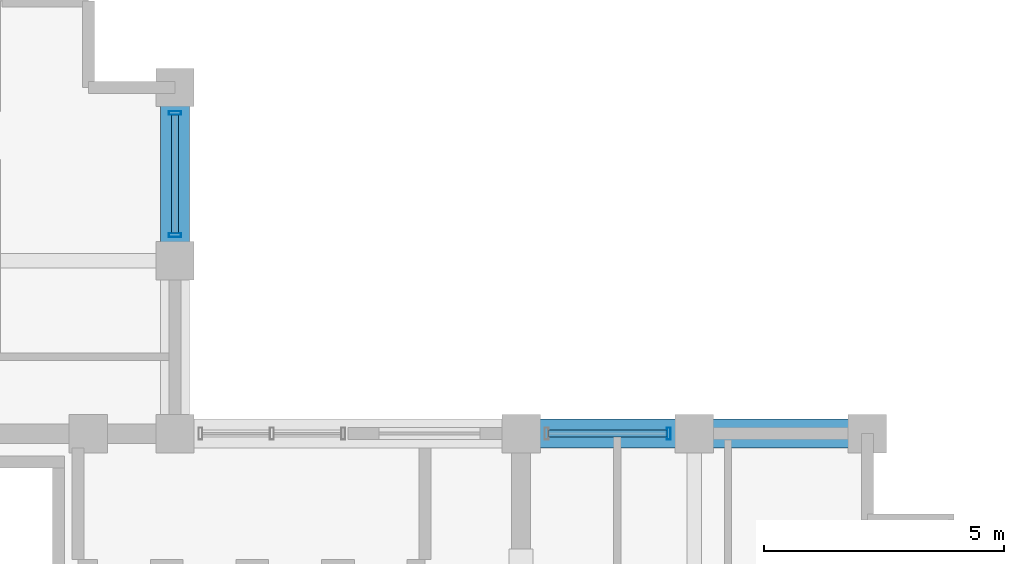
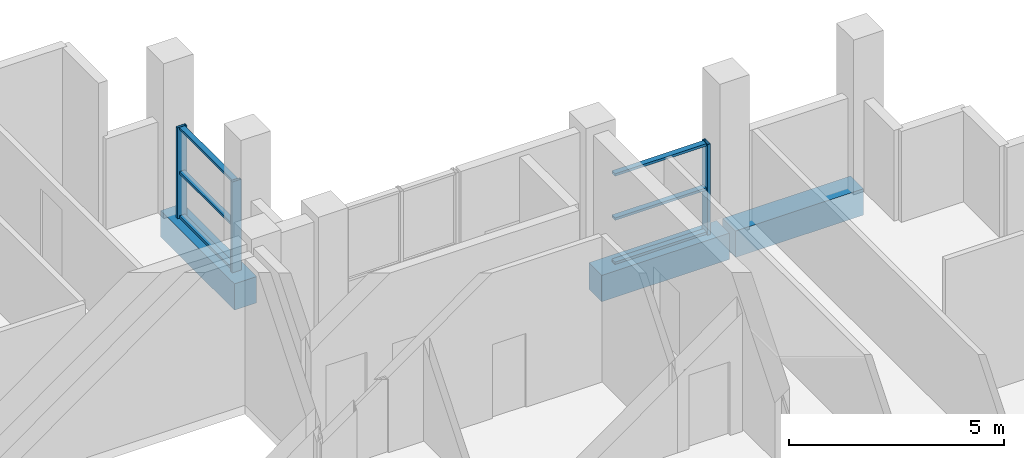
# One storey, part 7 of 14: 9 members, 3 beams, 2 elements without a shape of their own.
"""IFC4 building model written with IfcOpenShell, lengths in metres."""

from ifc_helpers import new_model, si_unit, direction, frame, origin, origin_2d, place, context, subcontext, project, spatial, rectangle, hollow_rectangle, extrude, material, layer, layer_set, material_profile, profile_set, type_object, element, aggregate, save


model = new_model("IFC4")

# Units and contexts
model_context = context("Model", 3, precision=1e-05, world=origin(), true_north=direction((0.0, 1.0)))
body_context = subcontext(model_context, "Body", "Model", "MODEL_VIEW")
ifc_project = project(units=[si_unit("LENGTHUNIT", "METRE"), si_unit("AREAUNIT", "SQUARE_METRE"), si_unit("VOLUMEUNIT", "CUBIC_METRE"), si_unit("PLANEANGLEUNIT", "RADIAN"), si_unit("MASSUNIT", "GRAM", prefix="KILO")], contexts=[model_context])

# Site, building, storey
site_placement = place(None, origin())
site = spatial("IfcSite", under=ifc_project, at=site_placement, CompositionType="ELEMENT")
building_placement = place(site_placement, origin())
building = spatial("IfcBuilding", under=site, at=building_placement, Name="Solnavia Interchange Tower", CompositionType="ELEMENT")
storey_placement = place(building_placement, frame((0.0, 0.0, 299.800048828125)))
storey = spatial("IfcBuildingStorey", under=building, at=storey_placement, Name="L76", CompositionType="ELEMENT", Elevation=299.800048828125)

# Beams
ifc_material_1 = material(Name="Concrete C50/60", Category="concrete")
ifc_material_profile_1 = material_profile(ifc_material_1, rectangle(XDim=0.60009765625, YDim=0.75, at=origin_2d()), Name="RC 600x750")
ifc_profile_set_1 = profile_set([ifc_material_profile_1], Name="Concrete C50/60")
beam_type = type_object("IfcBeamType", Name="Beam-Spandrel-RC600x750", PredefinedType="SPANDREL", material=ifc_profile_set_1)
for number, where, z_axis, x_axis, name in (
    (1, (39.52001953125, 25.199951171875, -0.375), (-1.0, 0.0, 0.0), (0.0, -1.0, 0.0), "SPB-L76-17 Framed-tube perimeter spandrel beam"),
    (2, (35.919921875, 25.199951171875, -0.375), (-1.0, 0.0, 0.0), (0.0, -1.0, 0.0), "SPB-L76-18 Framed-tube perimeter spandrel beam"),
):
    element("IfcBeam", number, at=place(storey_placement, frame(where, z_axis=z_axis, x_axis=x_axis)), inside=storey, type_object=beam_type, Name=name, PredefinedType="SPANDREL", context=body_context, shape_type="SweptSolid", body=[
        extrude(rectangle(XDim=0.60009765625, YDim=0.75, at=origin_2d()), origin(), (0.0, 0.0, 1.0), 3.43994140625),
    ])
beam_placement = place(storey_placement, frame((25.199951171875, 28.8798828125, -0.375), z_axis=(0.0, 1.0, 0.0), x_axis=(-1.0, 0.0, 0.0)))
element("IfcBeam", 3, at=beam_placement, inside=storey, type_object=beam_type, Name="SPB-L76-21 Framed-tube perimeter spandrel beam", PredefinedType="SPANDREL", context=body_context, shape_type="SweptSolid", body=[
    extrude(rectangle(XDim=0.60009765625, YDim=0.75, at=origin_2d()), origin(), (0.0, 0.0, 1.0), 3.440185546875),
])

# Curtain wall, member
ifc_material_2 = material(Name="Aluminium Alloy 6063-T6", Category="aluminium")
ifc_layer = layer(ifc_material_2, 0.27001953125)
ifc_layer_set = layer_set([ifc_layer], Name="Aluminium Alloy 6063-T6")
curtain_wall_type = type_object("IfcCurtainWallType", Name="CurtainWall-SkyLobby-CTW4", PredefinedType="NOTDEFINED", material=ifc_layer_set)
curtain_wall_1_placement = place(storey_placement, origin())
curtain_wall_1 = element("IfcCurtainWall", 4, at=curtain_wall_1_placement, inside=storey, type_object=curtain_wall_type, Name="CTW-L76-S18 CTW-4 curtain wall", PredefinedType="NOTDEFINED")
ifc_material_profile_2 = material_profile(ifc_material_2, hollow_rectangle(XDim=0.080078125, YDim=0.25, WallThickness=0.006103515625, at=origin_2d()), Name="ALU 250x80x6")
ifc_profile_set_2 = profile_set([ifc_material_profile_2], Name="Aluminium Alloy 6063-T6")
member_type_1 = type_object("IfcMemberType", Name="CW-Mullion-CWM-4", PredefinedType="MULLION", material=ifc_profile_set_2)
member_1_placement = place(storey_placement, frame((35.469970703125, 25.199951171875, 0.0), z_axis=(0.0, 0.0, 1.0), x_axis=(-1.0, 0.0, 0.0)))
member_1 = element("IfcMember", 5, at=member_1_placement, type_object=member_type_1, Name="CTW-4 mullion 1", PredefinedType="MULLION", context=body_context, shape_type="SweptSolid", body=[
    extrude(hollow_rectangle(XDim=0.080078125, YDim=0.25, WallThickness=0.006103515625, at=origin_2d()), origin(), (0.0, 0.0, 1.0), 2.579833984375),
])

# Curtain wall, members
curtain_wall_2_placement = place(storey_placement, origin())
curtain_wall_2 = element("IfcCurtainWall", 6, at=curtain_wall_2_placement, inside=storey, type_object=curtain_wall_type, Name="CTW-L76-S22 CTW-4 curtain wall", PredefinedType="NOTDEFINED")
member_2_placement = place(storey_placement, frame((25.199951171875, 29.330078125, 0.0), z_axis=(0.0, 0.0, 1.0), x_axis=(0.0, 1.0, 0.0)))
member_2 = element("IfcMember", 7, at=member_2_placement, type_object=member_type_1, Name="CTW-4 mullion 1", PredefinedType="MULLION", context=body_context, shape_type="SweptSolid", body=[
    extrude(hollow_rectangle(XDim=0.080078125, YDim=0.25, WallThickness=0.006103515625, at=origin_2d()), origin(), (0.0, 0.0, 1.0), 2.579833984375),
])
member_3_placement = place(storey_placement, frame((25.199951171875, 31.8701171875, 0.0), z_axis=(0.0, 0.0, 1.0), x_axis=(0.0, 1.0, 0.0)))
member_3 = element("IfcMember", 8, at=member_3_placement, type_object=member_type_1, Name="CTW-4 mullion 2", PredefinedType="MULLION", context=body_context, shape_type="SweptSolid", body=[
    extrude(hollow_rectangle(XDim=0.080078125, YDim=0.25, WallThickness=0.006103515625, at=origin_2d()), origin(), (0.0, 0.0, 1.0), 2.579833984375),
])

# Member
ifc_material_profile_3 = material_profile(ifc_material_2, hollow_rectangle(XDim=0.070068359375, YDim=0.14990234375, WallThickness=0.00439453125, at=origin_2d()), Name="ALU 150x70x4.5")
ifc_profile_set_3 = profile_set([ifc_material_profile_3], Name="Aluminium Alloy 6063-T6")
member_type_2 = type_object("IfcMemberType", Name="CW-Transom-CWT-4", PredefinedType="USERDEFINED", material=ifc_profile_set_3)
member_4_placement = place(storey_placement, frame((35.429931640625, 25.199951171875, 0.034912109375), z_axis=(-1.0, 0.0, 0.0), x_axis=(0.0, 0.0, 1.0)))
member_4 = element("IfcMember", 9, at=member_4_placement, type_object=member_type_2, Name="CTW-4 transom 1.1", ObjectType="TRANSOM", PredefinedType="USERDEFINED", context=body_context, shape_type="SweptSolid", body=[
    extrude(hollow_rectangle(XDim=0.070068359375, YDim=0.14990234375, WallThickness=0.00439453125, at=origin_2d()), origin(), (0.0, 0.0, 1.0), 2.4599609375),
])

member_5_placement = place(storey_placement, frame((35.429931640625, 25.199951171875, 1.2900390625), z_axis=(-1.0, 0.0, 0.0), x_axis=(0.0, 0.0, 1.0)))
member_5 = element("IfcMember", 10, at=member_5_placement, type_object=member_type_2, Name="CTW-4 transom 1.2", ObjectType="TRANSOM", PredefinedType="USERDEFINED", context=body_context, shape_type="SweptSolid", body=[
    extrude(hollow_rectangle(XDim=0.070068359375, YDim=0.14990234375, WallThickness=0.00439453125, at=origin_2d()), origin(), (0.0, 0.0, 1.0), 2.4599609375),
])

member_6_placement = place(storey_placement, frame((35.429931640625, 25.199951171875, 2.544921875), z_axis=(-1.0, 0.0, 0.0), x_axis=(0.0, 0.0, 1.0)))
member_6 = element("IfcMember", 11, at=member_6_placement, type_object=member_type_2, Name="CTW-4 transom 1.3", ObjectType="TRANSOM", PredefinedType="USERDEFINED", context=body_context, shape_type="SweptSolid", body=[
    extrude(hollow_rectangle(XDim=0.070068359375, YDim=0.14990234375, WallThickness=0.00439453125, at=origin_2d()), origin(), (0.0, 0.0, 1.0), 2.4599609375),
])

aggregate(curtain_wall_1, [member_1, member_4, member_5, member_6])

member_7_placement = place(storey_placement, frame((25.199951171875, 29.3701171875, 0.034912109375), z_axis=(0.0, 1.0, 0.0), x_axis=(0.0, 0.0, 1.0)))
member_7 = element("IfcMember", 12, at=member_7_placement, type_object=member_type_2, Name="CTW-4 transom 1.1", ObjectType="TRANSOM", PredefinedType="USERDEFINED", context=body_context, shape_type="SweptSolid", body=[
    extrude(hollow_rectangle(XDim=0.070068359375, YDim=0.14990234375, WallThickness=0.00439453125, at=origin_2d()), origin(), (0.0, 0.0, 1.0), 2.4599609375),
])

member_8_placement = place(storey_placement, frame((25.199951171875, 29.3701171875, 1.2900390625), z_axis=(0.0, 1.0, 0.0), x_axis=(0.0, 0.0, 1.0)))
member_8 = element("IfcMember", 13, at=member_8_placement, type_object=member_type_2, Name="CTW-4 transom 1.2", ObjectType="TRANSOM", PredefinedType="USERDEFINED", context=body_context, shape_type="SweptSolid", body=[
    extrude(hollow_rectangle(XDim=0.070068359375, YDim=0.14990234375, WallThickness=0.00439453125, at=origin_2d()), origin(), (0.0, 0.0, 1.0), 2.4599609375),
])

member_9_placement = place(storey_placement, frame((25.199951171875, 29.3701171875, 2.544921875), z_axis=(0.0, 1.0, 0.0), x_axis=(0.0, 0.0, 1.0)))
member_9 = element("IfcMember", 14, at=member_9_placement, type_object=member_type_2, Name="CTW-4 transom 1.3", ObjectType="TRANSOM", PredefinedType="USERDEFINED", context=body_context, shape_type="SweptSolid", body=[
    extrude(hollow_rectangle(XDim=0.070068359375, YDim=0.14990234375, WallThickness=0.00439453125, at=origin_2d()), origin(), (0.0, 0.0, 1.0), 2.4599609375),
])

aggregate(curtain_wall_2, [member_2, member_3, member_7, member_8, member_9])

save(model, "model.ifc")
